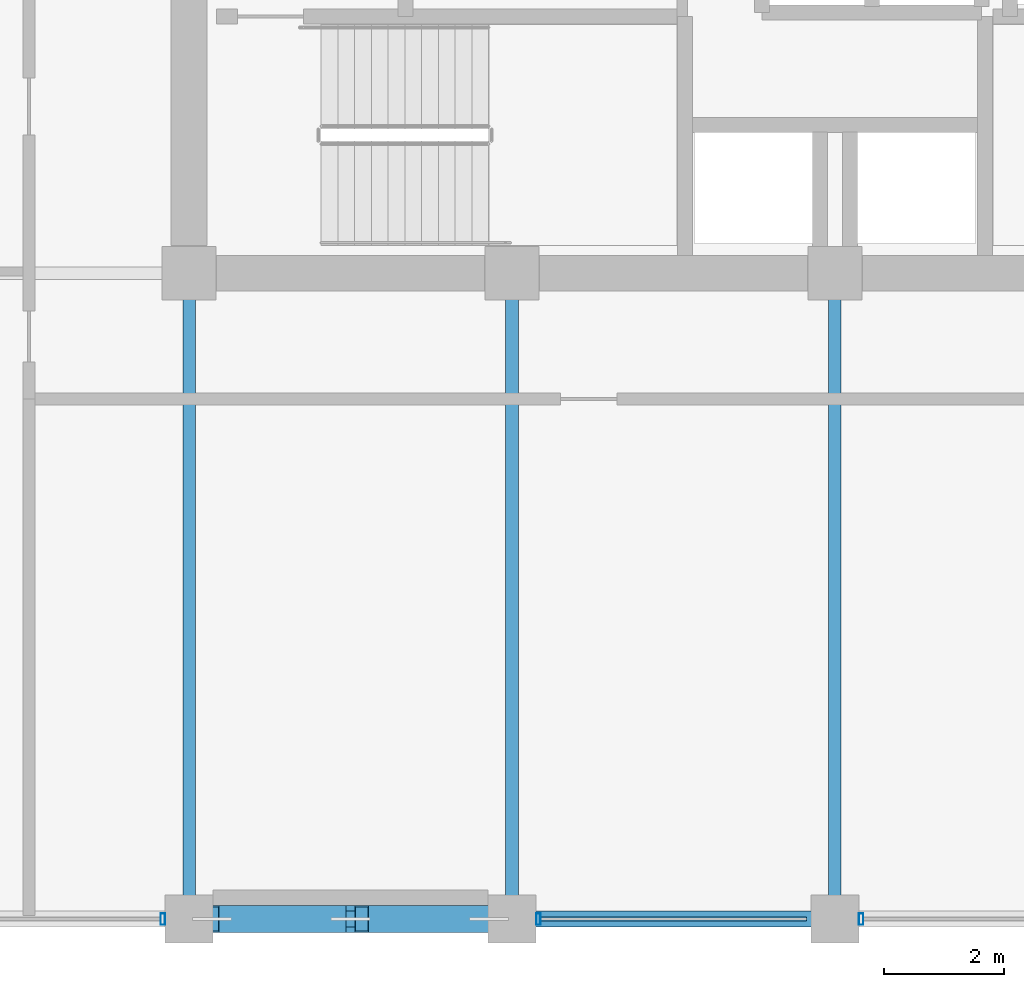
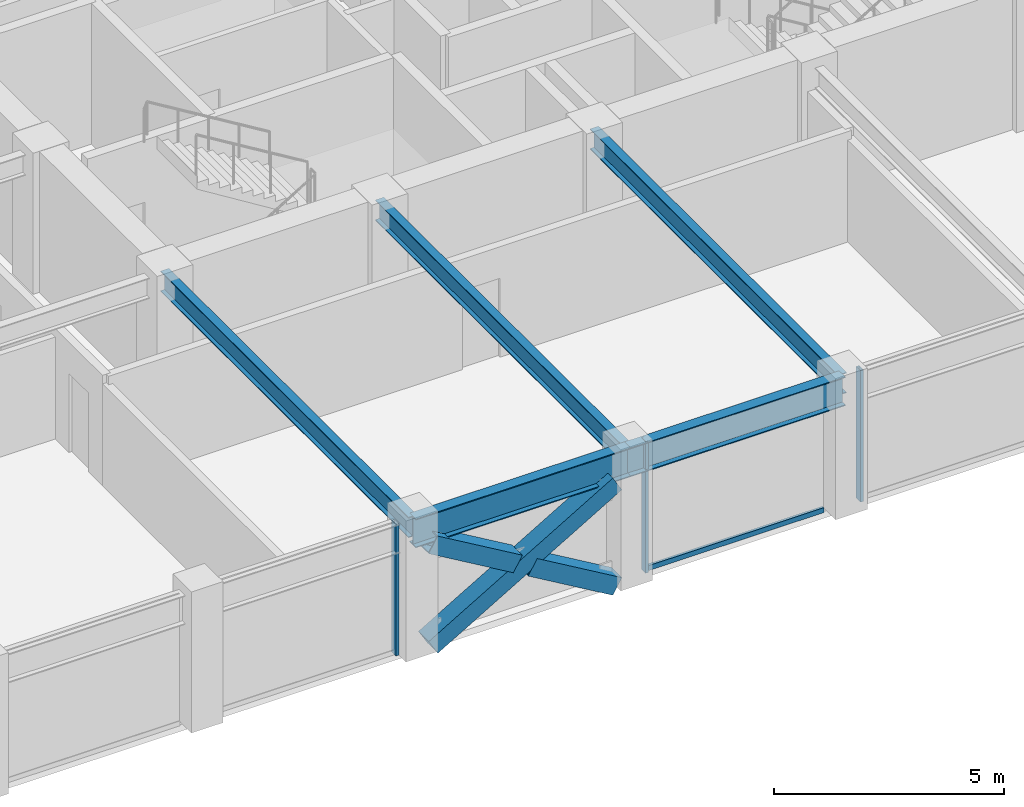
# One storey, part 4 of 28: 7 members, 5 beams, 2 elements without a shape of their own.
"""IFC4 building model written with IfcOpenShell, lengths in metres."""

from ifc_helpers import new_model, si_unit, direction, frame, origin, origin_2d, place, context, subcontext, project, spatial, hollow_rectangle, i_section, extrude, material, layer, layer_set, material_profile, profile_set, type_object, element, aggregate, save


model = new_model("IFC4")

# Units and contexts
model_context = context("Model", 3, precision=1e-05, world=origin(), true_north=direction((0.0, 1.0)))
body_context = subcontext(model_context, "Body", "Model", "MODEL_VIEW")
ifc_project = project(units=[si_unit("LENGTHUNIT", "METRE"), si_unit("AREAUNIT", "SQUARE_METRE"), si_unit("VOLUMEUNIT", "CUBIC_METRE"), si_unit("PLANEANGLEUNIT", "RADIAN"), si_unit("MASSUNIT", "GRAM", prefix="KILO")], contexts=[model_context])

# Site, building, storey
site_placement = place(None, origin())
site = spatial("IfcSite", under=ifc_project, at=site_placement, CompositionType="ELEMENT")
building_placement = place(site_placement, origin())
building = spatial("IfcBuilding", under=site, at=building_placement, Name="Surkhivell Harbour Commons", CompositionType="ELEMENT")
storey_placement = place(building_placement, frame((0.0, 0.0, 246.0)))
storey = spatial("IfcBuildingStorey", under=building, at=storey_placement, Name="L64", CompositionType="ELEMENT", Elevation=246.0)

# Beams
ifc_material_1 = material(Name="Steel S355", Category="steel")
ifc_material_profile_1 = material_profile(ifc_material_1, i_section(OverallWidth=0.2119140625, OverallDepth=0.5439453125, WebThickness=0.0126953125, FlangeThickness=0.021240234375, at=origin_2d()), Name="UB533x210x122")
ifc_profile_set_1 = profile_set([ifc_material_profile_1], Name="Steel S355")
beam_type_1 = type_object("IfcBeamType", Name="BM-GRD-533A", PredefinedType="BEAM", material=ifc_profile_set_1)
for number, where, z_axis, x_axis, name in (
    (1, (-10.800048828125, -21.60009765625, 3.22802734375), (0.0, 1.0, 0.0), (-1.0, 0.0, 0.0), "L64 Floor Girder (-10.8,-21.6)"),
    (2, (-5.39990234375, -21.60009765625, 3.22802734375), (0.0, 1.0, 0.0), (-1.0, 0.0, 0.0), "L64 Floor Girder (-5.4,-21.6)"),
    (3, (0.0, -21.60009765625, 3.22802734375), (0.0, 1.0, 0.0), (-1.0, 0.0, 0.0), "L64 Floor Girder (0.0,-21.6)"),
):
    element("IfcBeam", number, at=place(storey_placement, frame(where, z_axis=z_axis, x_axis=x_axis)), inside=storey, type_object=beam_type_1, Name=name, PredefinedType="BEAM", context=body_context, shape_type="SweptSolid", body=[
        extrude(i_section(OverallWidth=0.2119140625, OverallDepth=0.5439453125, WebThickness=0.0126953125, FlangeThickness=0.021240234375, at=origin_2d()), origin(), (0.0, 0.0, 1.0), 10.800048828125),
    ])
ifc_material_profile_2 = material_profile(ifc_material_1, i_section(OverallWidth=0.26806640625, OverallDepth=0.77001953125, WebThickness=0.015625, FlangeThickness=0.025390625, at=origin_2d()), Name="UB762x267x197")
ifc_profile_set_2 = profile_set([ifc_material_profile_2], Name="Steel S355")
beam_type_2 = type_object("IfcBeamType", Name="BM-SPN-762", PredefinedType="SPANDREL", material=ifc_profile_set_2)
beam_1_placement = place(storey_placement, frame((-10.800048828125, -21.60009765625, 3.114990234375), z_axis=(1.0, 0.0, 0.0), x_axis=(0.0, 1.0, 0.0)))
element("IfcBeam", 4, at=beam_1_placement, inside=storey, type_object=beam_type_2, Name="L64 Tube Spandrel (-10.8,-21.6)", PredefinedType="SPANDREL", context=body_context, shape_type="SweptSolid", body=[
    extrude(i_section(OverallWidth=0.26806640625, OverallDepth=0.77001953125, WebThickness=0.015625, FlangeThickness=0.025390625, at=origin_2d()), origin(), (0.0, 0.0, 1.0), 5.400146484375),
])
beam_2_placement = place(storey_placement, frame((-5.39990234375, -21.60009765625, 3.114990234375), z_axis=(1.0, 0.0, 0.0), x_axis=(0.0, 1.0, 0.0)))
element("IfcBeam", 5, at=beam_2_placement, inside=storey, type_object=beam_type_2, Name="L64 Tube Spandrel (-5.4,-21.6)", PredefinedType="SPANDREL", context=body_context, shape_type="SweptSolid", body=[
    extrude(i_section(OverallWidth=0.26806640625, OverallDepth=0.77001953125, WebThickness=0.015625, FlangeThickness=0.025390625, at=origin_2d()), origin(), (0.0, 0.0, 1.0), 5.39990234375),
])

# Curtain wall, member
ifc_material_2 = material(Name="Anodised pale-metal aluminium and insulated glazing", Category="aluminium")
ifc_layer = layer(ifc_material_2, 0.18994140625)
ifc_layer_set = layer_set([ifc_layer], Name="Anodised pale-metal aluminium and insulated glazing")
curtain_wall_type = type_object("IfcCurtainWallType", Name="CW-SYS-Z3", PredefinedType="NOTDEFINED", material=ifc_layer_set)
curtain_wall_1_placement = place(storey_placement, origin())
curtain_wall_1 = element("IfcCurtainWall", 6, at=curtain_wall_1_placement, inside=storey, type_object=curtain_wall_type, Name="L64 Curtain Wall CW-L64-E00S1", PredefinedType="NOTDEFINED")
ifc_material_3 = material(Name="Anodised pale-metal aluminium alloy 6063-T6", Category="aluminium")
ifc_material_profile_3 = material_profile(ifc_material_3, hollow_rectangle(XDim=0.074951171875, YDim=0.18994140625, WallThickness=0.00390625, at=origin_2d()), Name="ALU-MULL-75x190")
ifc_profile_set_3 = profile_set([ifc_material_profile_3], Name="Anodised pale-metal aluminium alloy 6063-T6")
member_type_1 = type_object("IfcMemberType", Name="CWM-190", PredefinedType="MULLION", material=ifc_profile_set_3)
member_1_placement = place(storey_placement, frame((-11.239501953125, -21.60009765625, 0.0), z_axis=(0.0, 0.0, 1.0), x_axis=(1.0, 0.0, 0.0)))
member_1 = element("IfcMember", 7, at=member_1_placement, type_object=member_type_1, Name="CW-Z3 mullion 3", PredefinedType="MULLION", context=body_context, shape_type="SweptSolid", body=[
    extrude(hollow_rectangle(XDim=0.074951171875, YDim=0.18994140625, WallThickness=0.00390625, at=origin_2d()), origin(), (0.0, 0.0, 1.0), 3.5),
])
aggregate(curtain_wall_1, [member_1])

# Curtain wall, members
curtain_wall_2_placement = place(storey_placement, origin())
curtain_wall_2 = element("IfcCurtainWall", 8, at=curtain_wall_2_placement, inside=storey, type_object=curtain_wall_type, Name="L64 Curtain Wall CW-L64-E00S2", PredefinedType="NOTDEFINED")
member_2_placement = place(storey_placement, frame((-4.96044921875, -21.60009765625, 0.0), z_axis=(0.0, 0.0, 1.0), x_axis=(1.0, 0.0, 0.0)))
member_2 = element("IfcMember", 9, at=member_2_placement, type_object=member_type_1, Name="CW-Z3 mullion 1", PredefinedType="MULLION", context=body_context, shape_type="SweptSolid", body=[
    extrude(hollow_rectangle(XDim=0.074951171875, YDim=0.18994140625, WallThickness=0.00390625, at=origin_2d()), origin(), (0.0, 0.0, 1.0), 3.5),
])
member_3_placement = place(storey_placement, frame((0.439453125, -21.60009765625, 0.0), z_axis=(0.0, 0.0, 1.0), x_axis=(1.0, 0.0, 0.0)))
member_3 = element("IfcMember", 10, at=member_3_placement, type_object=member_type_1, Name="CW-Z3 mullion 2", PredefinedType="MULLION", context=body_context, shape_type="SweptSolid", body=[
    extrude(hollow_rectangle(XDim=0.074951171875, YDim=0.18994140625, WallThickness=0.00390625, at=origin_2d()), origin(), (0.0, 0.0, 1.0), 3.5),
])
ifc_material_4 = material(Name="Champagne anodised aluminium alloy 6063-T6", Category="aluminium")
ifc_material_profile_4 = material_profile(ifc_material_4, hollow_rectangle(XDim=0.070068359375, YDim=0.1298828125, WallThickness=0.00341796875, at=origin_2d()), Name="ALU-TRAN-70x130")
ifc_profile_set_4 = profile_set([ifc_material_profile_4], Name="Champagne anodised aluminium alloy 6063-T6")
member_type_2 = type_object("IfcMemberType", Name="CWT-130", PredefinedType="USERDEFINED", material=ifc_profile_set_4)
member_4_placement = place(storey_placement, frame((-4.923095703125, -21.60009765625, 0.06494140625), z_axis=(1.0, 0.0, 0.0), x_axis=(0.0, 1.0, 0.0)))
member_4 = element("IfcMember", 11, at=member_4_placement, type_object=member_type_2, Name="CW-Z3 transom 1.1", ObjectType="TRANSOM", PredefinedType="USERDEFINED", context=body_context, shape_type="SweptSolid", body=[
    extrude(hollow_rectangle(XDim=0.070068359375, YDim=0.1298828125, WallThickness=0.00341796875, at=origin_2d()), origin(), (0.0, 0.0, 1.0), 4.446044921875),
])
aggregate(curtain_wall_2, [member_2, member_4, member_3])

# Members
ifc_material_5 = material(Name="Steel S460", Category="steel")
ifc_material_profile_5 = material_profile(ifc_material_5, hollow_rectangle(XDim=0.449951171875, YDim=0.449951171875, WallThickness=0.02197265625, at=origin_2d()), Name="SHS450x450x22")
ifc_profile_set_5 = profile_set([ifc_material_profile_5], Name="Steel S460")
member_type_3 = type_object("IfcMemberType", Name="MEM-BRC-SHS450", PredefinedType="BRACE", material=ifc_profile_set_5)
member_5_placement = place(storey_placement, frame((-10.4150390625, -21.60009765625, 0.008056640625), z_axis=(0.861753104541, 0.0, 0.507327888859), x_axis=(0.0, 1.0, 0.0)))
element("IfcMember", 12, at=member_5_placement, inside=storey, type_object=member_type_3, Name="L64 Perimeter Mega-Brace MB- 07", PredefinedType="BRACE", context=body_context, shape_type="SweptSolid", body=[
    extrude(hollow_rectangle(XDim=0.449951171875, YDim=0.449951171875, WallThickness=0.02197265625, at=origin_2d()), origin(), (0.0, 0.0, 1.0), 5.372802734375),
])
for number, where, z_axis, x_axis, name in (
    (13, (-5.784912109375, -21.60009765625, 0.008056640625), (-0.861735995374, 0.0, 0.50735694957), (0.0, -1.0, 0.0), "L64 Perimeter Mega-Brace MB- 08"),
    (14, (-8.2861328125, -21.60009765625, 1.480712890625), (-0.861779200568, 0.0, 0.507283559233), (0.0, -1.0, 0.0), "L64 Perimeter Mega-Brace MB- 09"),
):
    element("IfcMember", number, at=place(storey_placement, frame(where, z_axis=z_axis, x_axis=x_axis)), inside=storey, type_object=member_type_3, Name=name, PredefinedType="BRACE", context=body_context, shape_type="SweptSolid", body=[
        extrude(hollow_rectangle(XDim=0.449951171875, YDim=0.449951171875, WallThickness=0.02197265625, at=origin_2d()), origin(), (0.0, 0.0, 1.0), 2.470458984375),
    ])

save(model, "model.ifc")
